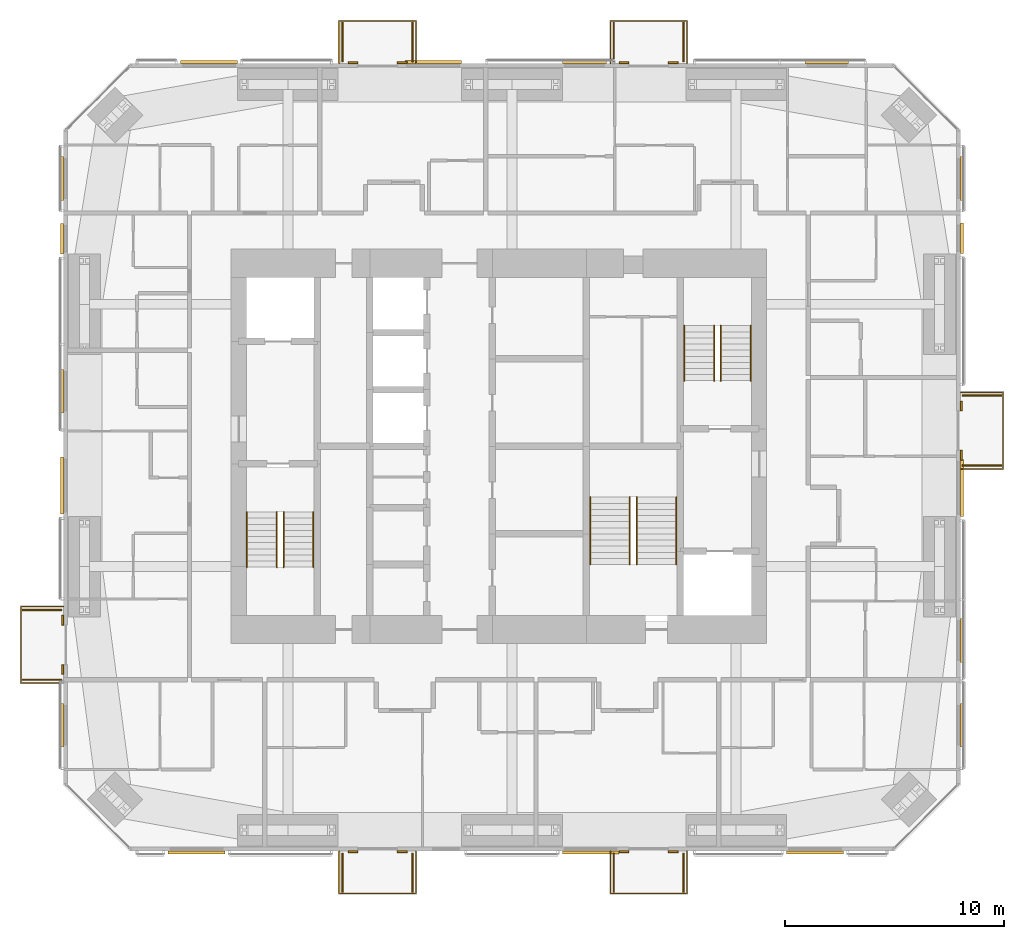
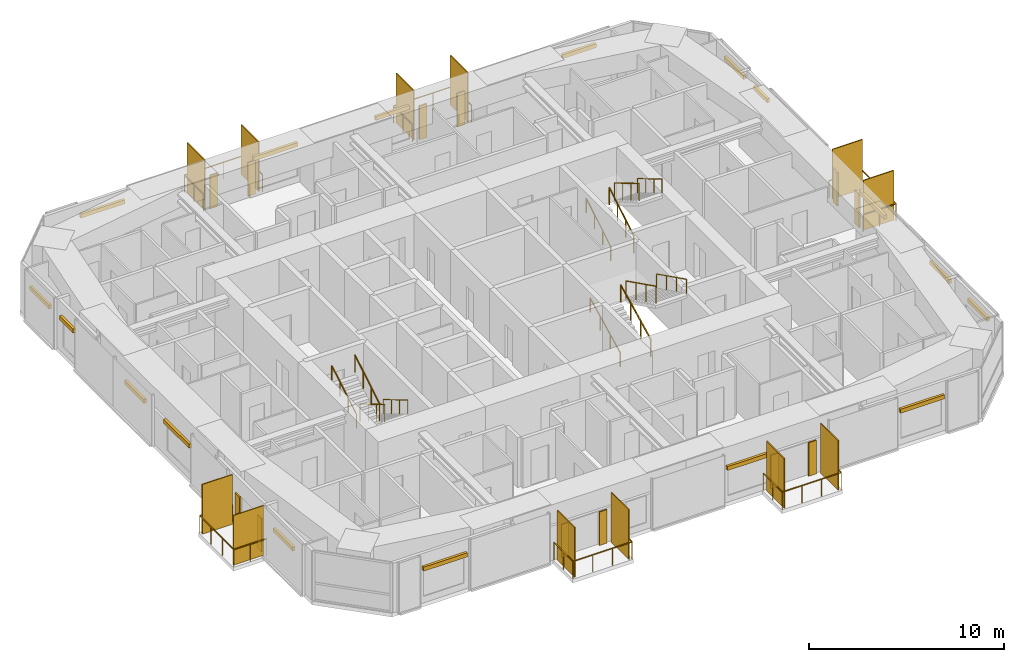
# One storey, part 23 of 23: 41 shading devices, 18 railings.
"""IFC4 building model written with IfcOpenShell, lengths in metres."""

from ifc_helpers import new_model, si_unit, direction, frame, origin, origin_2d, place, context, subcontext, project, spatial, rectangle, circle, extrude, material, layer, layer_set, constituent, constituent_set, type_object, element, save


model = new_model("IFC4")

# Units and contexts
model_context = context("Model", 3, precision=1e-05, world=origin(), true_north=direction((0.0, 1.0)))
body_context = subcontext(model_context, "Body", "Model", "MODEL_VIEW")
ifc_project = project(units=[si_unit("LENGTHUNIT", "METRE"), si_unit("AREAUNIT", "SQUARE_METRE"), si_unit("VOLUMEUNIT", "CUBIC_METRE"), si_unit("PLANEANGLEUNIT", "RADIAN"), si_unit("MASSUNIT", "GRAM", prefix="KILO")], contexts=[model_context])

# Site, building, storey
site_placement = place(None, origin())
site = spatial("IfcSite", under=ifc_project, at=site_placement, CompositionType="ELEMENT")
building_placement = place(site_placement, origin())
building = spatial("IfcBuilding", under=site, at=building_placement, Name="Jalousie Tower", CompositionType="ELEMENT")
storey_placement = place(building_placement, frame((0.0, 0.0, 167.75)))
storey = spatial("IfcBuildingStorey", under=building, at=storey_placement, Name="L45", CompositionType="ELEMENT", Elevation=167.75)

# Shading devices
ifc_material_1 = material(Name="Aluminium impact-rated louvred storm shutter", Category="aluminium")
shading_device_type_1 = type_object("IfcShadingDeviceType", Name="BI-FOLD STORM SHUTTER 900x2100", PredefinedType="SHUTTER", material=ifc_material_1)
for number, where, z_axis, x_axis, name in (
    (1, (25.22509765625, -0.0400390625, 0.0), (0.0, 0.0, 1.0), (1.0, 0.0, 0.0), "Balcony storm shutter L45"),
    (2, (27.47509765625, -0.0400390625, 0.0), (0.0, 0.0, 1.0), (1.0, 0.0, 0.0), "Balcony storm shutter L45"),
    (3, (37.625, -0.0400390625, 0.0), (0.0, 0.0, 1.0), (1.0, 0.0, 0.0), "Balcony storm shutter L45"),
    (4, (39.875, -0.0400390625, 0.0), (0.0, 0.0, 1.0), (1.0, 0.0, 0.0), "Balcony storm shutter L45"),
    (5, (53.0400390625, 18.10009765625, 0.0), (0.0, 0.0, 1.0), (0.0, 1.0, 0.0), "Balcony storm shutter L45"),
    (6, (53.0400390625, 20.35009765625, 0.0), (0.0, 0.0, 1.0), (0.0, 1.0, 0.0), "Balcony storm shutter L45"),
    (7, (39.875, 36.0400390625, 0.0), (0.0, 0.0, 1.0), (-1.0, 0.0, 0.0), "Balcony storm shutter L45"),
    (8, (37.625, 36.0400390625, 0.0), (0.0, 0.0, 1.0), (-1.0, 0.0, 0.0), "Balcony storm shutter L45"),
    (9, (27.47509765625, 36.0400390625, 0.0), (0.0, 0.0, 1.0), (-1.0, 0.0, 0.0), "Balcony storm shutter L45"),
    (10, (25.22509765625, 36.0400390625, 0.0), (0.0, 0.0, 1.0), (-1.0, 0.0, 0.0), "Balcony storm shutter L45"),
    (11, (11.9599609375, 10.550048828125, 0.0), (0.0, 0.0, 1.0), (0.0, -1.0, 0.0), "Balcony storm shutter L45"),
    (12, (11.9599609375, 8.300048828125, 0.0), (0.0, 0.0, 1.0), (0.0, -1.0, 0.0), "Balcony storm shutter L45"),
):
    element("IfcShadingDevice", number, at=place(storey_placement, frame(where, z_axis=z_axis, x_axis=x_axis)), inside=storey, type_object=shading_device_type_1, Name=name, PredefinedType="SHUTTER", context=body_context, shape_type="SweptSolid", body=[
        extrude(rectangle(XDim=0.449951171875, YDim=0.080078125, at=origin_2d()), origin(), (0.0, 0.0, 1.0), 2.10009765625),
    ])

# Railings
ifc_material_2 = material(Name="Powder-coated aluminium fretwork", Category="aluminium")
railing_type_1 = type_object("IfcRailingType", Name="FRETWORK BALUSTRADE 1100", PredefinedType="BALUSTRADE", material=ifc_material_2)
for number, where, name in (
    (13, (24.60009765625, 0.0, 0.0), "Balcony fretwork balustrade L45"),
    (14, (37.0, 0.0, 0.0), "Balcony fretwork balustrade L45"),
):
    element("IfcRailing", number, at=place(storey_placement, frame(where)), inside=storey, type_object=railing_type_1, Name=name, PredefinedType="BALUSTRADE", context=body_context, shape_type="SweptSolid", body=[
        extrude(rectangle(XDim=0.048095703125, YDim=0.048095703125, at=origin_2d()), frame((0.0, 0.0, 1.076171875), z_axis=(0.0, -1.0, 0.0), x_axis=(1.0, 0.0, 0.0)), (0.0, 0.0, 1.0), 1.949951171875),
        extrude(rectangle(XDim=0.048095703125, YDim=0.048095703125, at=origin_2d()), frame((0.0, -1.949951171875, 1.076171875), z_axis=(1.0, 0.0, 0.0), x_axis=(0.0, 1.0, 0.0)), (0.0, 0.0, 1.0), 3.5),
        extrude(rectangle(XDim=0.048095703125, YDim=0.048095703125, at=origin_2d()), frame((3.5, -1.949951171875, 1.076171875), z_axis=(0.0, 1.0, 0.0), x_axis=(-1.0, 0.0, 0.0)), (0.0, 0.0, 1.0), 1.949951171875),
        extrude(circle(Radius=0.02099609375, at=origin_2d()), origin(), (0.0, 0.0, 1.0), 1.052001953125),
        extrude(circle(Radius=0.02099609375, at=origin_2d()), frame((0.0, -0.97509765625, 0.0)), (0.0, 0.0, 1.0), 1.052001953125),
        extrude(circle(Radius=0.02099609375, at=origin_2d()), frame((0.0, -1.949951171875, 0.0)), (0.0, 0.0, 1.0), 1.052001953125),
        extrude(circle(Radius=0.02099609375, at=origin_2d()), frame((1.166748046875, -1.949951171875, 0.0)), (0.0, 0.0, 1.0), 1.052001953125),
        extrude(circle(Radius=0.02099609375, at=origin_2d()), frame((2.333251953125, -1.949951171875, 0.0)), (0.0, 0.0, 1.0), 1.052001953125),
        extrude(circle(Radius=0.02099609375, at=origin_2d()), frame((3.5, -1.949951171875, 0.0)), (0.0, 0.0, 1.0), 1.052001953125),
        extrude(circle(Radius=0.02099609375, at=origin_2d()), frame((3.5, -0.97509765625, 0.0)), (0.0, 0.0, 1.0), 1.052001953125),
        extrude(circle(Radius=0.02099609375, at=origin_2d()), frame((3.5, 0.0, 0.0)), (0.0, 0.0, 1.0), 1.052001953125),
    ])
railing_1_placement = place(storey_placement, frame((53.0, 17.47509765625, 0.0)))
element("IfcRailing", 15, at=railing_1_placement, inside=storey, type_object=railing_type_1, Name="Balcony fretwork balustrade L45", PredefinedType="BALUSTRADE", context=body_context, shape_type="SweptSolid", body=[
    extrude(rectangle(XDim=0.048095703125, YDim=0.048095703125, at=origin_2d()), frame((0.0, 0.0, 1.076171875), z_axis=(1.0, 0.0, 0.0), x_axis=(0.0, 1.0, 0.0)), (0.0, 0.0, 1.0), 1.949951171875),
    extrude(rectangle(XDim=0.048095703125, YDim=0.048095703125, at=origin_2d()), frame((1.949951171875, 0.0, 1.076171875), z_axis=(0.0, 1.0, 0.0), x_axis=(-1.0, 0.0, 0.0)), (0.0, 0.0, 1.0), 3.5),
    extrude(rectangle(XDim=0.048095703125, YDim=0.048095703125, at=origin_2d()), frame((1.949951171875, 3.5, 1.076171875), z_axis=(-1.0, 0.0, 0.0), x_axis=(0.0, -1.0, 0.0)), (0.0, 0.0, 1.0), 1.949951171875),
    extrude(circle(Radius=0.02099609375, at=origin_2d()), origin(), (0.0, 0.0, 1.0), 1.052001953125),
    extrude(circle(Radius=0.02099609375, at=origin_2d()), frame((0.97509765625, 0.0, 0.0)), (0.0, 0.0, 1.0), 1.052001953125),
    extrude(circle(Radius=0.02099609375, at=origin_2d()), frame((1.949951171875, 0.0, 0.0)), (0.0, 0.0, 1.0), 1.052001953125),
    extrude(circle(Radius=0.02099609375, at=origin_2d()), frame((1.949951171875, 1.166748046875, 0.0)), (0.0, 0.0, 1.0), 1.052001953125),
    extrude(circle(Radius=0.02099609375, at=origin_2d()), frame((1.949951171875, 2.333251953125, 0.0)), (0.0, 0.0, 1.0), 1.052001953125),
    extrude(circle(Radius=0.02099609375, at=origin_2d()), frame((1.949951171875, 3.5, 0.0)), (0.0, 0.0, 1.0), 1.052001953125),
    extrude(circle(Radius=0.02099609375, at=origin_2d()), frame((0.97509765625, 3.5, 0.0)), (0.0, 0.0, 1.0), 1.052001953125),
    extrude(circle(Radius=0.02099609375, at=origin_2d()), frame((0.0, 3.5, 0.0)), (0.0, 0.0, 1.0), 1.052001953125),
])
for number, where, name in (
    (16, (40.5, 36.0, 0.0), "Balcony fretwork balustrade L45"),
    (17, (28.10009765625, 36.0, 0.0), "Balcony fretwork balustrade L45"),
):
    element("IfcRailing", number, at=place(storey_placement, frame(where)), inside=storey, type_object=railing_type_1, Name=name, PredefinedType="BALUSTRADE", context=body_context, shape_type="SweptSolid", body=[
        extrude(rectangle(XDim=0.048095703125, YDim=0.048095703125, at=origin_2d()), frame((0.0, 0.0, 1.076171875), z_axis=(0.0, 1.0, 0.0), x_axis=(-1.0, 0.0, 0.0)), (0.0, 0.0, 1.0), 1.949951171875),
        extrude(rectangle(XDim=0.048095703125, YDim=0.048095703125, at=origin_2d()), frame((0.0, 1.949951171875, 1.076171875), z_axis=(-1.0, 0.0, 0.0), x_axis=(0.0, -1.0, 0.0)), (0.0, 0.0, 1.0), 3.5),
        extrude(rectangle(XDim=0.048095703125, YDim=0.048095703125, at=origin_2d()), frame((-3.5, 1.949951171875, 1.076171875), z_axis=(0.0, -1.0, 0.0), x_axis=(1.0, 0.0, 0.0)), (0.0, 0.0, 1.0), 1.949951171875),
        extrude(circle(Radius=0.02099609375, at=origin_2d()), origin(), (0.0, 0.0, 1.0), 1.052001953125),
        extrude(circle(Radius=0.02099609375, at=origin_2d()), frame((0.0, 0.97509765625, 0.0)), (0.0, 0.0, 1.0), 1.052001953125),
        extrude(circle(Radius=0.02099609375, at=origin_2d()), frame((0.0, 1.949951171875, 0.0)), (0.0, 0.0, 1.0), 1.052001953125),
        extrude(circle(Radius=0.02099609375, at=origin_2d()), frame((-1.166748046875, 1.949951171875, 0.0)), (0.0, 0.0, 1.0), 1.052001953125),
        extrude(circle(Radius=0.02099609375, at=origin_2d()), frame((-2.333251953125, 1.949951171875, 0.0)), (0.0, 0.0, 1.0), 1.052001953125),
        extrude(circle(Radius=0.02099609375, at=origin_2d()), frame((-3.5, 1.949951171875, 0.0)), (0.0, 0.0, 1.0), 1.052001953125),
        extrude(circle(Radius=0.02099609375, at=origin_2d()), frame((-3.5, 0.97509765625, 0.0)), (0.0, 0.0, 1.0), 1.052001953125),
        extrude(circle(Radius=0.02099609375, at=origin_2d()), frame((-3.5, 0.0, 0.0)), (0.0, 0.0, 1.0), 1.052001953125),
    ])
railing_2_placement = place(storey_placement, frame((12.0, 11.175048828125, 0.0)))
element("IfcRailing", 18, at=railing_2_placement, inside=storey, type_object=railing_type_1, Name="Balcony fretwork balustrade L45", PredefinedType="BALUSTRADE", context=body_context, shape_type="SweptSolid", body=[
    extrude(rectangle(XDim=0.048095703125, YDim=0.048095703125, at=origin_2d()), frame((0.0, 0.0, 1.076171875), z_axis=(-1.0, 0.0, 0.0), x_axis=(0.0, -1.0, 0.0)), (0.0, 0.0, 1.0), 1.949951171875),
    extrude(rectangle(XDim=0.048095703125, YDim=0.048095703125, at=origin_2d()), frame((-1.949951171875, 0.0, 1.076171875), z_axis=(0.0, -1.0, 0.0), x_axis=(1.0, 0.0, 0.0)), (0.0, 0.0, 1.0), 3.5),
    extrude(rectangle(XDim=0.048095703125, YDim=0.048095703125, at=origin_2d()), frame((-1.949951171875, -3.5, 1.076171875), z_axis=(1.0, 0.0, 0.0), x_axis=(0.0, 1.0, 0.0)), (0.0, 0.0, 1.0), 1.949951171875),
    extrude(circle(Radius=0.02099609375, at=origin_2d()), origin(), (0.0, 0.0, 1.0), 1.052001953125),
    extrude(circle(Radius=0.02099609375, at=origin_2d()), frame((-0.97509765625, 0.0, 0.0)), (0.0, 0.0, 1.0), 1.052001953125),
    extrude(circle(Radius=0.02099609375, at=origin_2d()), frame((-1.949951171875, 0.0, 0.0)), (0.0, 0.0, 1.0), 1.052001953125),
    extrude(circle(Radius=0.02099609375, at=origin_2d()), frame((-1.949951171875, -1.166748046875, 0.0)), (0.0, 0.0, 1.0), 1.052001953125),
    extrude(circle(Radius=0.02099609375, at=origin_2d()), frame((-1.949951171875, -2.333251953125, 0.0)), (0.0, 0.0, 1.0), 1.052001953125),
    extrude(circle(Radius=0.02099609375, at=origin_2d()), frame((-1.949951171875, -3.5, 0.0)), (0.0, 0.0, 1.0), 1.052001953125),
    extrude(circle(Radius=0.02099609375, at=origin_2d()), frame((-0.97509765625, -3.5, 0.0)), (0.0, 0.0, 1.0), 1.052001953125),
    extrude(circle(Radius=0.02099609375, at=origin_2d()), frame((0.0, -3.5, 0.0)), (0.0, 0.0, 1.0), 1.052001953125),
])

# Shading devices
ifc_material_3 = material(Name="Powder-coated aluminium louvres", Category="aluminium")
ifc_layer = layer(ifc_material_3, 0.06005859375)
ifc_layer_set = layer_set([ifc_layer], Name="Powder-coated aluminium louvres")
shading_device_type_2 = type_object("IfcShadingDeviceType", Name="JALOUSIE LOUVRE SCREEN", PredefinedType="JALOUSIE", material=ifc_layer_set)
for number, where, z_axis, x_axis, name in (
    (19, (24.75, -1.0, 0.0), (0.0, 0.0, 1.0), (1.0, 0.0, 0.0), "Jalousie louvre screen L45"),
    (20, (27.949951171875, -1.0, 0.0), (0.0, 0.0, 1.0), (1.0, 0.0, 0.0), "Jalousie louvre screen L45"),
    (21, (37.14990234375, -1.0, 0.0), (0.0, 0.0, 1.0), (1.0, 0.0, 0.0), "Jalousie louvre screen L45"),
    (22, (40.35009765625, -1.0, 0.0), (0.0, 0.0, 1.0), (1.0, 0.0, 0.0), "Jalousie louvre screen L45"),
    (23, (54.0, 17.625, 0.0), (0.0, 0.0, 1.0), (0.0, 1.0, 0.0), "Jalousie louvre screen L45"),
    (24, (54.0, 20.824951171875, 0.0), (0.0, 0.0, 1.0), (0.0, 1.0, 0.0), "Jalousie louvre screen L45"),
    (25, (40.35009765625, 37.0, 0.0), (0.0, 0.0, 1.0), (-1.0, 0.0, 0.0), "Jalousie louvre screen L45"),
    (26, (37.14990234375, 37.0, 0.0), (0.0, 0.0, 1.0), (-1.0, 0.0, 0.0), "Jalousie louvre screen L45"),
    (27, (27.949951171875, 37.0, 0.0), (0.0, 0.0, 1.0), (-1.0, 0.0, 0.0), "Jalousie louvre screen L45"),
    (28, (24.75, 37.0, 0.0), (0.0, 0.0, 1.0), (-1.0, 0.0, 0.0), "Jalousie louvre screen L45"),
    (29, (11.0, 11.02490234375, 0.0), (0.0, 0.0, 1.0), (0.0, -1.0, 0.0), "Jalousie louvre screen L45"),
    (30, (11.0, 7.824951171875, 0.0), (0.0, 0.0, 1.0), (0.0, -1.0, 0.0), "Jalousie louvre screen L45"),
):
    element("IfcShadingDevice", number, at=place(storey_placement, frame(where, z_axis=z_axis, x_axis=x_axis)), inside=storey, type_object=shading_device_type_2, Name=name, PredefinedType="JALOUSIE", context=body_context, shape_type="SweptSolid", body=[
        extrude(rectangle(XDim=0.06005859375, YDim=1.800048828125, at=origin_2d()), origin(), (0.0, 0.0, 1.0), 3.110107421875),
    ])

# Railings
ifc_material_4 = material(Name="Steel ASTM A500 Grade C", Category="steel")
ifc_constituent_1 = constituent(ifc_material_4, Name="Body")
ifc_material_5 = material(Name="Hot-dip galvanised zinc coating")
ifc_constituent_2 = constituent(ifc_material_5, Name="Finish")
ifc_constituent_set_1 = constituent_set(constituents=[ifc_constituent_1, ifc_constituent_2])
railing_type_2 = type_object("IfcRailingType", Name="STAIR GUARD 1100", PredefinedType="GUARDRAIL", material=ifc_constituent_set_1)
railing_3_placement = place(storey_placement, frame((22.054931640625, 15.49755859375, 0.16748046875)))
element("IfcRailing", 31, at=railing_3_placement, inside=storey, type_object=railing_type_2, Name="Exit stair A guard L45 flight 1", PredefinedType="GUARDRAIL", context=body_context, shape_type="SweptSolid", body=[
    extrude(rectangle(XDim=0.048095703125, YDim=0.048095703125, at=origin_2d()), frame((0.0, 0.0, 1.076171875), z_axis=(0.0, -0.858159760407, 0.513382728203), x_axis=(1.0, 0.0, 0.0)), (0.0, 0.0, 1.0), 2.9365234375),
    extrude(circle(Radius=0.02099609375, at=origin_2d()), origin(), (0.0, 0.0, 1.0), 1.052001953125),
    extrude(circle(Radius=0.02099609375, at=origin_2d()), frame((0.0, -0.840087890625, 0.50244140625)), (0.0, 0.0, 1.0), 1.052001953125),
    extrude(circle(Radius=0.02099609375, at=origin_2d()), frame((0.0, -1.679931640625, 1.005126953125)), (0.0, 0.0, 1.0), 1.052001953125),
    extrude(circle(Radius=0.02099609375, at=origin_2d()), frame((0.0, -2.52001953125, 1.507568359375)), (0.0, 0.0, 1.0), 1.052001953125),
])
for number, where, name in (
    (32, (21.7451171875, 12.9775390625, 1.842529296875), "Exit stair A guard L45 flight 2"),
    (33, (41.7451171875, 21.50244140625, 0.16748046875), "Exit stair B guard L45 flight 1"),
):
    element("IfcRailing", number, at=place(storey_placement, frame(where)), inside=storey, type_object=railing_type_2, Name=name, PredefinedType="GUARDRAIL", context=body_context, shape_type="SweptSolid", body=[
        extrude(rectangle(XDim=0.048095703125, YDim=0.048095703125, at=origin_2d()), frame((0.0, 0.0, 1.076171875), z_axis=(0.0, 0.858159760407, 0.513382728203), x_axis=(-1.0, 0.0, 0.0)), (0.0, 0.0, 1.0), 2.9365234375),
        extrude(circle(Radius=0.02099609375, at=origin_2d()), origin(), (0.0, 0.0, 1.0), 1.052001953125),
        extrude(circle(Radius=0.02099609375, at=origin_2d()), frame((0.0, 0.840087890625, 0.50244140625)), (0.0, 0.0, 1.0), 1.052001953125),
        extrude(circle(Radius=0.02099609375, at=origin_2d()), frame((0.0, 1.679931640625, 1.005126953125)), (0.0, 0.0, 1.0), 1.052001953125),
        extrude(circle(Radius=0.02099609375, at=origin_2d()), frame((0.0, 2.52001953125, 1.507568359375)), (0.0, 0.0, 1.0), 1.052001953125),
    ])
railing_4_placement = place(storey_placement, frame((42.054931640625, 24.0224609375, 1.842529296875)))
element("IfcRailing", 34, at=railing_4_placement, inside=storey, type_object=railing_type_2, Name="Exit stair B guard L45 flight 2", PredefinedType="GUARDRAIL", context=body_context, shape_type="SweptSolid", body=[
    extrude(rectangle(XDim=0.048095703125, YDim=0.048095703125, at=origin_2d()), frame((0.0, 0.0, 1.076171875), z_axis=(0.0, -0.858159760407, 0.513382728203), x_axis=(1.0, 0.0, 0.0)), (0.0, 0.0, 1.0), 2.9365234375),
    extrude(circle(Radius=0.02099609375, at=origin_2d()), origin(), (0.0, 0.0, 1.0), 1.052001953125),
    extrude(circle(Radius=0.02099609375, at=origin_2d()), frame((0.0, -0.840087890625, 0.50244140625)), (0.0, 0.0, 1.0), 1.052001953125),
    extrude(circle(Radius=0.02099609375, at=origin_2d()), frame((0.0, -1.679931640625, 1.005126953125)), (0.0, 0.0, 1.0), 1.052001953125),
    extrude(circle(Radius=0.02099609375, at=origin_2d()), frame((0.0, -2.52001953125, 1.507568359375)), (0.0, 0.0, 1.0), 1.052001953125),
])
railing_5_placement = place(storey_placement, frame((37.89501953125, 13.097412109375, 0.1396484375)))
element("IfcRailing", 35, at=railing_5_placement, inside=storey, type_object=railing_type_2, Name="Exit stair C guard L45 flight 1", PredefinedType="GUARDRAIL", context=body_context, shape_type="SweptSolid", body=[
    extrude(rectangle(XDim=0.048095703125, YDim=0.048095703125, at=origin_2d()), frame((0.0, 0.0, 1.076171875), z_axis=(0.0, 0.894965676997, 0.446134998624), x_axis=(-1.0, 0.0, 0.0)), (0.0, 0.0, 1.0), 3.441650390625),
    extrude(circle(Radius=0.02099609375, at=origin_2d()), origin(), (0.0, 0.0, 1.0), 1.052001953125),
    extrude(circle(Radius=0.02099609375, at=origin_2d()), frame((0.0, 1.026611328125, 0.51171875)), (0.0, 0.0, 1.0), 1.052001953125),
    extrude(circle(Radius=0.02099609375, at=origin_2d()), frame((0.0, 2.053466796875, 1.023681640625)), (0.0, 0.0, 1.0), 1.052001953125),
    extrude(circle(Radius=0.02099609375, at=origin_2d()), frame((0.0, 3.080078125, 1.535400390625)), (0.0, 0.0, 1.0), 1.052001953125),
])
railing_6_placement = place(storey_placement, frame((38.205078125, 16.177490234375, 1.814697265625)))
element("IfcRailing", 36, at=railing_6_placement, inside=storey, type_object=railing_type_2, Name="Exit stair C guard L45 flight 2", PredefinedType="GUARDRAIL", context=body_context, shape_type="SweptSolid", body=[
    extrude(rectangle(XDim=0.048095703125, YDim=0.048095703125, at=origin_2d()), frame((0.0, 0.0, 1.076171875), z_axis=(0.0, -0.894965676997, 0.446134998624), x_axis=(1.0, 0.0, 0.0)), (0.0, 0.0, 1.0), 3.441650390625),
    extrude(circle(Radius=0.02099609375, at=origin_2d()), origin(), (0.0, 0.0, 1.0), 1.052001953125),
    extrude(circle(Radius=0.02099609375, at=origin_2d()), frame((0.0, -1.026611328125, 0.51171875)), (0.0, 0.0, 1.0), 1.052001953125),
    extrude(circle(Radius=0.02099609375, at=origin_2d()), frame((0.0, -2.053466796875, 1.023681640625)), (0.0, 0.0, 1.0), 1.052001953125),
    extrude(circle(Radius=0.02099609375, at=origin_2d()), frame((0.0, -3.080078125, 1.535400390625)), (0.0, 0.0, 1.0), 1.052001953125),
])
ifc_material_6 = material(Name="Steel ASTM A500 Grade C", Category="steel")
ifc_constituent_3 = constituent(ifc_material_6, Name="Body")
ifc_material_7 = material(Name="Hot-dip galvanised zinc coating")
ifc_constituent_4 = constituent(ifc_material_7, Name="Finish")
ifc_constituent_set_2 = constituent_set(constituents=[ifc_constituent_3, ifc_constituent_4])
railing_type_3 = type_object("IfcRailingType", Name="STAIR HANDRAIL 900", PredefinedType="HANDRAIL", material=ifc_constituent_set_2)
railing_7_placement = place(storey_placement, frame((23.419921875, 15.49755859375, 0.16748046875)))
element("IfcRailing", 37, at=railing_7_placement, inside=storey, type_object=railing_type_3, Name="Exit stair A handrail L45 flight 1", PredefinedType="HANDRAIL", context=body_context, shape_type="SweptSolid", body=[
    extrude(circle(Radius=0.02392578125, at=origin_2d()), frame((0.0, 0.0, 0.8759765625), z_axis=(0.0, -0.858159760407, 0.513382728203), x_axis=(1.0, 0.0, 0.0)), (0.0, 0.0, 1.0), 2.9365234375),
    extrude(circle(Radius=0.02099609375, at=origin_2d()), origin(), (0.0, 0.0, 1.0), 0.851806640625),
    extrude(circle(Radius=0.02099609375, at=origin_2d()), frame((0.0, -0.840087890625, 0.50244140625)), (0.0, 0.0, 1.0), 0.851806640625),
    extrude(circle(Radius=0.02099609375, at=origin_2d()), frame((0.0, -1.679931640625, 1.005126953125)), (0.0, 0.0, 1.0), 0.851806640625),
    extrude(circle(Radius=0.02099609375, at=origin_2d()), frame((0.0, -2.52001953125, 1.507568359375)), (0.0, 0.0, 1.0), 0.851806640625),
])
for number, where, name in (
    (38, (20.3798828125, 12.9775390625, 1.842529296875), "Exit stair A handrail L45 flight 2"),
    (39, (40.3798828125, 21.50244140625, 0.16748046875), "Exit stair B handrail L45 flight 1"),
):
    element("IfcRailing", number, at=place(storey_placement, frame(where)), inside=storey, type_object=railing_type_3, Name=name, PredefinedType="HANDRAIL", context=body_context, shape_type="SweptSolid", body=[
        extrude(circle(Radius=0.02392578125, at=origin_2d()), frame((0.0, 0.0, 0.8759765625), z_axis=(0.0, 0.858159760407, 0.513382728203), x_axis=(-1.0, 0.0, 0.0)), (0.0, 0.0, 1.0), 2.9365234375),
        extrude(circle(Radius=0.02099609375, at=origin_2d()), origin(), (0.0, 0.0, 1.0), 0.851806640625),
        extrude(circle(Radius=0.02099609375, at=origin_2d()), frame((0.0, 0.840087890625, 0.50244140625)), (0.0, 0.0, 1.0), 0.851806640625),
        extrude(circle(Radius=0.02099609375, at=origin_2d()), frame((0.0, 1.679931640625, 1.005126953125)), (0.0, 0.0, 1.0), 0.851806640625),
        extrude(circle(Radius=0.02099609375, at=origin_2d()), frame((0.0, 2.52001953125, 1.507568359375)), (0.0, 0.0, 1.0), 0.851806640625),
    ])
railing_8_placement = place(storey_placement, frame((43.419921875, 24.0224609375, 1.842529296875)))
element("IfcRailing", 40, at=railing_8_placement, inside=storey, type_object=railing_type_3, Name="Exit stair B handrail L45 flight 2", PredefinedType="HANDRAIL", context=body_context, shape_type="SweptSolid", body=[
    extrude(circle(Radius=0.02392578125, at=origin_2d()), frame((0.0, 0.0, 0.8759765625), z_axis=(0.0, -0.858159760407, 0.513382728203), x_axis=(1.0, 0.0, 0.0)), (0.0, 0.0, 1.0), 2.9365234375),
    extrude(circle(Radius=0.02099609375, at=origin_2d()), origin(), (0.0, 0.0, 1.0), 0.851806640625),
    extrude(circle(Radius=0.02099609375, at=origin_2d()), frame((0.0, -0.840087890625, 0.50244140625)), (0.0, 0.0, 1.0), 0.851806640625),
    extrude(circle(Radius=0.02099609375, at=origin_2d()), frame((0.0, -1.679931640625, 1.005126953125)), (0.0, 0.0, 1.0), 0.851806640625),
    extrude(circle(Radius=0.02099609375, at=origin_2d()), frame((0.0, -2.52001953125, 1.507568359375)), (0.0, 0.0, 1.0), 0.851806640625),
])
railing_9_placement = place(storey_placement, frame((36.080078125, 13.097412109375, 0.1396484375)))
element("IfcRailing", 41, at=railing_9_placement, inside=storey, type_object=railing_type_3, Name="Exit stair C handrail L45 flight 1", PredefinedType="HANDRAIL", context=body_context, shape_type="SweptSolid", body=[
    extrude(circle(Radius=0.02392578125, at=origin_2d()), frame((0.0, 0.0, 0.8759765625), z_axis=(0.0, 0.894965676997, 0.446134998624), x_axis=(-1.0, 0.0, 0.0)), (0.0, 0.0, 1.0), 3.441650390625),
    extrude(circle(Radius=0.02099609375, at=origin_2d()), origin(), (0.0, 0.0, 1.0), 0.851806640625),
    extrude(circle(Radius=0.02099609375, at=origin_2d()), frame((0.0, 1.026611328125, 0.51171875)), (0.0, 0.0, 1.0), 0.851806640625),
    extrude(circle(Radius=0.02099609375, at=origin_2d()), frame((0.0, 2.053466796875, 1.023681640625)), (0.0, 0.0, 1.0), 0.851806640625),
    extrude(circle(Radius=0.02099609375, at=origin_2d()), frame((0.0, 3.080078125, 1.535400390625)), (0.0, 0.0, 1.0), 0.851806640625),
])
railing_10_placement = place(storey_placement, frame((40.02001953125, 16.177490234375, 1.814697265625)))
element("IfcRailing", 42, at=railing_10_placement, inside=storey, type_object=railing_type_3, Name="Exit stair C handrail L45 flight 2", PredefinedType="HANDRAIL", context=body_context, shape_type="SweptSolid", body=[
    extrude(circle(Radius=0.02392578125, at=origin_2d()), frame((0.0, 0.0, 0.8759765625), z_axis=(0.0, -0.894965676997, 0.446134998624), x_axis=(1.0, 0.0, 0.0)), (0.0, 0.0, 1.0), 3.441650390625),
    extrude(circle(Radius=0.02099609375, at=origin_2d()), origin(), (0.0, 0.0, 1.0), 0.851806640625),
    extrude(circle(Radius=0.02099609375, at=origin_2d()), frame((0.0, -1.026611328125, 0.51171875)), (0.0, 0.0, 1.0), 0.851806640625),
    extrude(circle(Radius=0.02099609375, at=origin_2d()), frame((0.0, -2.053466796875, 1.023681640625)), (0.0, 0.0, 1.0), 0.851806640625),
    extrude(circle(Radius=0.02099609375, at=origin_2d()), frame((0.0, -3.080078125, 1.535400390625)), (0.0, 0.0, 1.0), 0.851806640625),
])

# Shading devices
ifc_material_8 = material(Name="Aluminium roller storm shutter", Category="aluminium")
shading_device_type_3 = type_object("IfcShadingDeviceType", Name="STORM SHUTTER HOUSING", PredefinedType="SHUTTER", material=ifc_material_8)
for number, where, z_axis, x_axis, name in (
    (43, (18.07568359375, -0.074951171875, 2.10009765625), (0.0, 0.0, 1.0), (1.0, 0.0, 0.0), "Storm shutter L45"),
    (44, (36.10009765625, -0.074951171875, 2.10009765625), (0.0, 0.0, 1.0), (1.0, 0.0, 0.0), "Storm shutter L45"),
    (45, (46.359375, -0.074951171875, 2.10009765625), (0.0, 0.0, 1.0), (1.0, 0.0, 0.0), "Storm shutter L45"),
):
    element("IfcShadingDevice", number, at=place(storey_placement, frame(where, z_axis=z_axis, x_axis=x_axis)), inside=storey, type_object=shading_device_type_3, Name=name, PredefinedType="SHUTTER", context=body_context, shape_type="SweptSolid", body=[
        extrude(rectangle(XDim=2.60009765625, YDim=0.14990234375, at=origin_2d()), origin(), (0.0, 0.0, 1.0), 0.25),
    ])
for number, where, z_axis, x_axis, name in (
    (46, (53.074951171875, 5.748046875, 2.10009765625), (0.0, 0.0, 1.0), (0.0, 1.0, 0.0), "Storm shutter L45"),
    (47, (53.074951171875, 9.625, 2.10009765625), (0.0, 0.0, 1.0), (0.0, 1.0, 0.0), "Storm shutter L45"),
):
    element("IfcShadingDevice", number, at=place(storey_placement, frame(where, z_axis=z_axis, x_axis=x_axis)), inside=storey, type_object=shading_device_type_3, Name=name, PredefinedType="SHUTTER", context=body_context, shape_type="SweptSolid", body=[
        extrude(rectangle(XDim=2.0, YDim=0.14990234375, at=origin_2d()), origin(), (0.0, 0.0, 1.0), 0.25),
    ])
shading_device_1_placement = place(storey_placement, frame((53.074951171875, 16.60009765625, 2.10009765625), z_axis=(0.0, 0.0, 1.0), x_axis=(0.0, 1.0, 0.0)))
element("IfcShadingDevice", 48, at=shading_device_1_placement, inside=storey, type_object=shading_device_type_3, Name="Storm shutter L45", PredefinedType="SHUTTER", context=body_context, shape_type="SweptSolid", body=[
    extrude(rectangle(XDim=2.60009765625, YDim=0.14990234375, at=origin_2d()), origin(), (0.0, 0.0, 1.0), 0.25),
])
shading_device_2_placement = place(storey_placement, frame((53.074951171875, 28.0244140625, 2.10009765625), z_axis=(0.0, 0.0, 1.0), x_axis=(0.0, 1.0, 0.0)))
element("IfcShadingDevice", 49, at=shading_device_2_placement, inside=storey, type_object=shading_device_type_3, Name="Storm shutter L45", PredefinedType="SHUTTER", context=body_context, shape_type="SweptSolid", body=[
    extrude(rectangle(XDim=1.39990234375, YDim=0.14990234375, at=origin_2d()), origin(), (0.0, 0.0, 1.0), 0.25),
])
for number, where, z_axis, x_axis, name in (
    (50, (53.074951171875, 30.751708984375, 2.10009765625), (0.0, 0.0, 1.0), (0.0, 1.0, 0.0), "Storm shutter L45"),
    (51, (46.89990234375, 36.074951171875, 2.10009765625), (0.0, 0.0, 1.0), (-1.0, 0.0, 0.0), "Storm shutter L45"),
    (52, (35.8173828125, 36.074951171875, 2.10009765625), (0.0, 0.0, 1.0), (-1.0, 0.0, 0.0), "Storm shutter L45"),
):
    element("IfcShadingDevice", number, at=place(storey_placement, frame(where, z_axis=z_axis, x_axis=x_axis)), inside=storey, type_object=shading_device_type_3, Name=name, PredefinedType="SHUTTER", context=body_context, shape_type="SweptSolid", body=[
        extrude(rectangle(XDim=2.0, YDim=0.14990234375, at=origin_2d()), origin(), (0.0, 0.0, 1.0), 0.25),
    ])
for number, where, z_axis, x_axis, name in (
    (53, (28.8955078125, 36.074951171875, 2.10009765625), (0.0, 0.0, 1.0), (-1.0, 0.0, 0.0), "Storm shutter L45"),
    (54, (18.64453125, 36.074951171875, 2.10009765625), (0.0, 0.0, 1.0), (-1.0, 0.0, 0.0), "Storm shutter L45"),
):
    element("IfcShadingDevice", number, at=place(storey_placement, frame(where, z_axis=z_axis, x_axis=x_axis)), inside=storey, type_object=shading_device_type_3, Name=name, PredefinedType="SHUTTER", context=body_context, shape_type="SweptSolid", body=[
        extrude(rectangle(XDim=2.60009765625, YDim=0.14990234375, at=origin_2d()), origin(), (0.0, 0.0, 1.0), 0.25),
    ])
shading_device_3_placement = place(storey_placement, frame((11.925048828125, 30.751953125, 2.10009765625), z_axis=(0.0, 0.0, 1.0), x_axis=(0.0, -1.0, 0.0)))
element("IfcShadingDevice", 55, at=shading_device_3_placement, inside=storey, type_object=shading_device_type_3, Name="Storm shutter L45", PredefinedType="SHUTTER", context=body_context, shape_type="SweptSolid", body=[
    extrude(rectangle(XDim=2.0, YDim=0.14990234375, at=origin_2d()), origin(), (0.0, 0.0, 1.0), 0.25),
])
shading_device_4_placement = place(storey_placement, frame((11.925048828125, 28.0, 2.10009765625), z_axis=(0.0, 0.0, 1.0), x_axis=(0.0, -1.0, 0.0)))
element("IfcShadingDevice", 56, at=shading_device_4_placement, inside=storey, type_object=shading_device_type_3, Name="Storm shutter L45", PredefinedType="SHUTTER", context=body_context, shape_type="SweptSolid", body=[
    extrude(rectangle(XDim=1.39990234375, YDim=0.14990234375, at=origin_2d()), origin(), (0.0, 0.0, 1.0), 0.25),
])
shading_device_5_placement = place(storey_placement, frame((11.925048828125, 21.02490234375, 2.10009765625), z_axis=(0.0, 0.0, 1.0), x_axis=(0.0, -1.0, 0.0)))
element("IfcShadingDevice", 57, at=shading_device_5_placement, inside=storey, type_object=shading_device_type_3, Name="Storm shutter L45", PredefinedType="SHUTTER", context=body_context, shape_type="SweptSolid", body=[
    extrude(rectangle(XDim=2.0, YDim=0.14990234375, at=origin_2d()), origin(), (0.0, 0.0, 1.0), 0.25),
])
shading_device_6_placement = place(storey_placement, frame((11.925048828125, 16.705078125, 2.10009765625), z_axis=(0.0, 0.0, 1.0), x_axis=(0.0, -1.0, 0.0)))
element("IfcShadingDevice", 58, at=shading_device_6_placement, inside=storey, type_object=shading_device_type_3, Name="Storm shutter L45", PredefinedType="SHUTTER", context=body_context, shape_type="SweptSolid", body=[
    extrude(rectangle(XDim=2.60009765625, YDim=0.14990234375, at=origin_2d()), origin(), (0.0, 0.0, 1.0), 0.25),
])
shading_device_7_placement = place(storey_placement, frame((11.925048828125, 5.748291015625, 2.10009765625), z_axis=(0.0, 0.0, 1.0), x_axis=(0.0, -1.0, 0.0)))
element("IfcShadingDevice", 59, at=shading_device_7_placement, inside=storey, type_object=shading_device_type_3, Name="Storm shutter L45", PredefinedType="SHUTTER", context=body_context, shape_type="SweptSolid", body=[
    extrude(rectangle(XDim=2.0, YDim=0.14990234375, at=origin_2d()), origin(), (0.0, 0.0, 1.0), 0.25),
])

save(model, "model.ifc")
